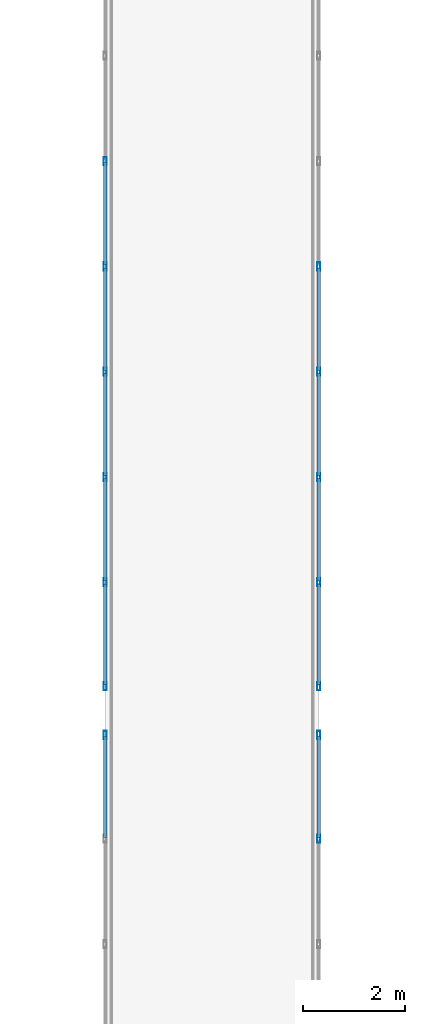
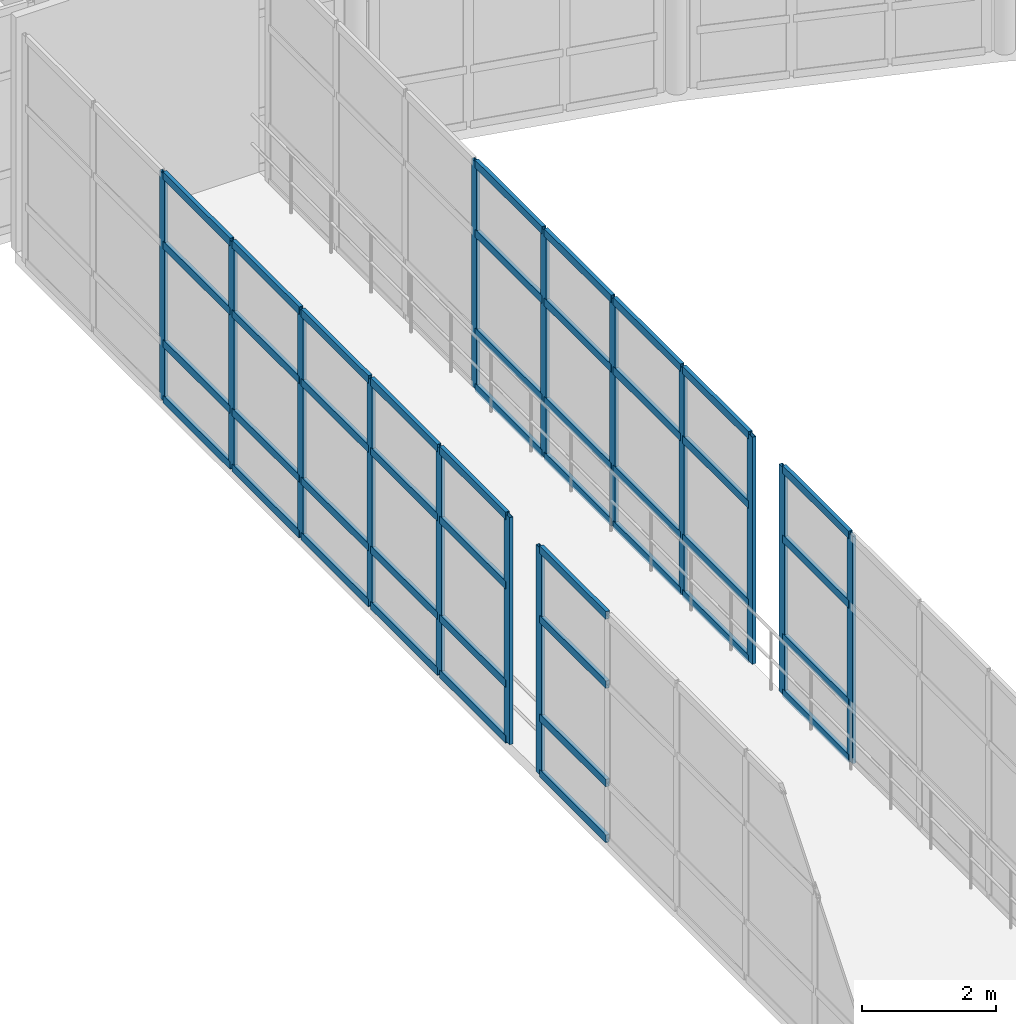
# One storey, part 65 of 105: 58 members, 4 elements without a shape of their own.
"""IFC4 building model written with IfcOpenShell, lengths in metres."""

from ifc_helpers import new_model, si_unit, direction, frame, origin, origin_2d, place, context, subcontext, project, spatial, hollow_rectangle, extrude, material, layer, layer_set, material_profile, profile_set, type_object, element, aggregate, save


model = new_model("IFC4")

# Units and contexts
model_context = context("Model", 3, precision=1e-05, world=origin(), true_north=direction((0.0, 1.0)))
body_context = subcontext(model_context, "Body", "Model", "MODEL_VIEW")
ifc_project = project(units=[si_unit("LENGTHUNIT", "METRE"), si_unit("AREAUNIT", "SQUARE_METRE"), si_unit("VOLUMEUNIT", "CUBIC_METRE"), si_unit("PLANEANGLEUNIT", "RADIAN"), si_unit("MASSUNIT", "GRAM", prefix="KILO")], contexts=[model_context])

# Site, building, storey
site_placement = place(None, origin())
site = spatial("IfcSite", under=ifc_project, at=site_placement, CompositionType="ELEMENT")
building_placement = place(site_placement, origin())
building = spatial("IfcBuilding", under=site, at=building_placement, Name="Selat Folded Stagehouse", CompositionType="ELEMENT")
storey_placement = place(building_placement, frame((0.0, 0.0, 10.199951171875)))
storey = spatial("IfcBuildingStorey", under=building, at=storey_placement, Name="L02", CompositionType="ELEMENT", Elevation=10.199951171875)

# Curtain wall, member
ifc_material = material(Name="Aluminium 6063-T6", Category="aluminium")
ifc_layer = layer(ifc_material, 0.175048828125)
ifc_layer_set = layer_set([ifc_layer], Name="Aluminium 6063-T6")
curtain_wall_type = type_object("IfcCurtainWallType", Name="CW-BRG-GLAZ", PredefinedType="NOTDEFINED", material=ifc_layer_set)
curtain_wall_1_placement = place(storey_placement, origin())
curtain_wall_1 = element("IfcCurtainWall", 1, at=curtain_wall_1_placement, inside=storey, type_object=curtain_wall_type, Name="L02 curtain wall CW-BRG-14", PredefinedType="NOTDEFINED")
ifc_material_profile_1 = material_profile(ifc_material, hollow_rectangle(XDim=0.06005859375, YDim=0.159912109375, WallThickness=0.00390625, at=origin_2d()), Name="ALU 160x60x4.0")
ifc_profile_set_1 = profile_set([ifc_material_profile_1], Name="Aluminium 6063-T6")
member_type_1 = type_object("IfcMemberType", Name="CWM-MUL-160x60", PredefinedType="MULLION", material=ifc_profile_set_1)
member_1_placement = place(storey_placement, frame((96.60009765625, 77.52001953125, 0.0), z_axis=(0.0, 0.0, 1.0), x_axis=(-1.0, 0.0, 0.0)))
member_1 = element("IfcMember", 2, at=member_1_placement, type_object=member_type_1, Name="CW-07 mullion 8", PredefinedType="MULLION", context=body_context, shape_type="SweptSolid", body=[
    extrude(hollow_rectangle(XDim=0.06005859375, YDim=0.159912109375, WallThickness=0.00390625, at=origin_2d()), origin(), (0.0, 0.0, 1.0), 4.150146484375),
])

# Curtain wall, members
curtain_wall_2_placement = place(storey_placement, origin())
curtain_wall_2 = element("IfcCurtainWall", 3, at=curtain_wall_2_placement, inside=storey, type_object=curtain_wall_type, Name="L02 curtain wall CW-BRG-15", PredefinedType="NOTDEFINED")
member_2_placement = place(storey_placement, frame((96.60009765625, 78.47998046875, 0.0), z_axis=(0.0, 0.0, 1.0), x_axis=(-1.0, 0.0, 0.0)))
member_2 = element("IfcMember", 4, at=member_2_placement, type_object=member_type_1, Name="CW-07 mullion 1", PredefinedType="MULLION", context=body_context, shape_type="SweptSolid", body=[
    extrude(hollow_rectangle(XDim=0.06005859375, YDim=0.159912109375, WallThickness=0.00390625, at=origin_2d()), origin(), (0.0, 0.0, 1.0), 4.150146484375),
])
member_3_placement = place(storey_placement, frame((96.60009765625, 80.521484375, 0.0), z_axis=(0.0, 0.0, 1.0), x_axis=(-1.0, 0.0, 0.0)))
member_3 = element("IfcMember", 5, at=member_3_placement, type_object=member_type_1, Name="CW-07 mullion 2", PredefinedType="MULLION", context=body_context, shape_type="SweptSolid", body=[
    extrude(hollow_rectangle(XDim=0.06005859375, YDim=0.159912109375, WallThickness=0.00390625, at=origin_2d()), origin(), (0.0, 0.0, 1.0), 4.150146484375),
])
member_4_placement = place(storey_placement, frame((96.60009765625, 82.5927734375, 0.0), z_axis=(0.0, 0.0, 1.0), x_axis=(-1.0, 0.0, 0.0)))
member_4 = element("IfcMember", 6, at=member_4_placement, type_object=member_type_1, Name="CW-07 mullion 3", PredefinedType="MULLION", context=body_context, shape_type="SweptSolid", body=[
    extrude(hollow_rectangle(XDim=0.06005859375, YDim=0.159912109375, WallThickness=0.00390625, at=origin_2d()), origin(), (0.0, 0.0, 1.0), 4.150146484375),
])
member_5_placement = place(storey_placement, frame((96.60009765625, 84.664306640625, 0.0), z_axis=(0.0, 0.0, 1.0), x_axis=(-1.0, 0.0, 0.0)))
member_5 = element("IfcMember", 7, at=member_5_placement, type_object=member_type_1, Name="CW-07 mullion 4", PredefinedType="MULLION", context=body_context, shape_type="SweptSolid", body=[
    extrude(hollow_rectangle(XDim=0.06005859375, YDim=0.159912109375, WallThickness=0.00390625, at=origin_2d()), origin(), (0.0, 0.0, 1.0), 4.150146484375),
])
member_6_placement = place(storey_placement, frame((96.60009765625, 86.735595703125, 0.0), z_axis=(0.0, 0.0, 1.0), x_axis=(-1.0, 0.0, 0.0)))
member_6 = element("IfcMember", 8, at=member_6_placement, type_object=member_type_1, Name="CW-07 mullion 5", PredefinedType="MULLION", context=body_context, shape_type="SweptSolid", body=[
    extrude(hollow_rectangle(XDim=0.06005859375, YDim=0.159912109375, WallThickness=0.00390625, at=origin_2d()), origin(), (0.0, 0.0, 1.0), 4.150146484375),
])
member_7_placement = place(storey_placement, frame((96.60009765625, 88.80712890625, 0.0), z_axis=(0.0, 0.0, 1.0), x_axis=(-1.0, 0.0, 0.0)))
member_7 = element("IfcMember", 9, at=member_7_placement, type_object=member_type_1, Name="CW-07 mullion 6", PredefinedType="MULLION", context=body_context, shape_type="SweptSolid", body=[
    extrude(hollow_rectangle(XDim=0.06005859375, YDim=0.159912109375, WallThickness=0.00390625, at=origin_2d()), origin(), (0.0, 0.0, 1.0), 4.150146484375),
])

curtain_wall_3_placement = place(storey_placement, origin())
curtain_wall_3 = element("IfcCurtainWall", 10, at=curtain_wall_3_placement, inside=storey, type_object=curtain_wall_type, Name="L02 curtain wall CW-BRG-19", PredefinedType="NOTDEFINED")
member_8_placement = place(storey_placement, frame((100.800048828125, 77.52001953125, 0.0), z_axis=(0.0, 0.0, 1.0), x_axis=(1.0, 0.0, 0.0)))
member_8 = element("IfcMember", 11, at=member_8_placement, type_object=member_type_1, Name="CW-07 mullion 1", PredefinedType="MULLION", context=body_context, shape_type="SweptSolid", body=[
    extrude(hollow_rectangle(XDim=0.06005859375, YDim=0.159912109375, WallThickness=0.00390625, at=origin_2d()), origin(), (0.0, 0.0, 1.0), 4.150146484375),
])
member_9_placement = place(storey_placement, frame((100.800048828125, 75.478515625, 0.0), z_axis=(0.0, 0.0, 1.0), x_axis=(1.0, 0.0, 0.0)))
member_9 = element("IfcMember", 12, at=member_9_placement, type_object=member_type_1, Name="CW-07 mullion 2", PredefinedType="MULLION", context=body_context, shape_type="SweptSolid", body=[
    extrude(hollow_rectangle(XDim=0.06005859375, YDim=0.159912109375, WallThickness=0.00390625, at=origin_2d()), origin(), (0.0, 0.0, 1.0), 4.150146484375),
])

curtain_wall_4_placement = place(storey_placement, origin())
curtain_wall_4 = element("IfcCurtainWall", 13, at=curtain_wall_4_placement, inside=storey, type_object=curtain_wall_type, Name="L02 curtain wall CW-BRG-20", PredefinedType="NOTDEFINED")
member_10_placement = place(storey_placement, frame((100.800048828125, 86.735595703125, 0.0), z_axis=(0.0, 0.0, 1.0), x_axis=(1.0, 0.0, 0.0)))
member_10 = element("IfcMember", 14, at=member_10_placement, type_object=member_type_1, Name="CW-07 mullion 4", PredefinedType="MULLION", context=body_context, shape_type="SweptSolid", body=[
    extrude(hollow_rectangle(XDim=0.06005859375, YDim=0.159912109375, WallThickness=0.00390625, at=origin_2d()), origin(), (0.0, 0.0, 1.0), 4.150146484375),
])
member_11_placement = place(storey_placement, frame((100.800048828125, 84.664306640625, 0.0), z_axis=(0.0, 0.0, 1.0), x_axis=(1.0, 0.0, 0.0)))
member_11 = element("IfcMember", 15, at=member_11_placement, type_object=member_type_1, Name="CW-07 mullion 5", PredefinedType="MULLION", context=body_context, shape_type="SweptSolid", body=[
    extrude(hollow_rectangle(XDim=0.06005859375, YDim=0.159912109375, WallThickness=0.00390625, at=origin_2d()), origin(), (0.0, 0.0, 1.0), 4.150146484375),
])
member_12_placement = place(storey_placement, frame((100.800048828125, 82.5927734375, 0.0), z_axis=(0.0, 0.0, 1.0), x_axis=(1.0, 0.0, 0.0)))
member_12 = element("IfcMember", 16, at=member_12_placement, type_object=member_type_1, Name="CW-07 mullion 6", PredefinedType="MULLION", context=body_context, shape_type="SweptSolid", body=[
    extrude(hollow_rectangle(XDim=0.06005859375, YDim=0.159912109375, WallThickness=0.00390625, at=origin_2d()), origin(), (0.0, 0.0, 1.0), 4.150146484375),
])
member_13_placement = place(storey_placement, frame((100.800048828125, 80.521484375, 0.0), z_axis=(0.0, 0.0, 1.0), x_axis=(1.0, 0.0, 0.0)))
member_13 = element("IfcMember", 17, at=member_13_placement, type_object=member_type_1, Name="CW-07 mullion 7", PredefinedType="MULLION", context=body_context, shape_type="SweptSolid", body=[
    extrude(hollow_rectangle(XDim=0.06005859375, YDim=0.159912109375, WallThickness=0.00390625, at=origin_2d()), origin(), (0.0, 0.0, 1.0), 4.150146484375),
])
member_14_placement = place(storey_placement, frame((100.800048828125, 78.47998046875, 0.0), z_axis=(0.0, 0.0, 1.0), x_axis=(1.0, 0.0, 0.0)))
member_14 = element("IfcMember", 18, at=member_14_placement, type_object=member_type_1, Name="CW-07 mullion 8", PredefinedType="MULLION", context=body_context, shape_type="SweptSolid", body=[
    extrude(hollow_rectangle(XDim=0.06005859375, YDim=0.159912109375, WallThickness=0.00390625, at=origin_2d()), origin(), (0.0, 0.0, 1.0), 4.150146484375),
])

# Member
ifc_material_profile_2 = material_profile(ifc_material, hollow_rectangle(XDim=0.06494140625, YDim=0.139892578125, WallThickness=0.00390625, at=origin_2d()), Name="ALU 140x65x4.0")
ifc_profile_set_2 = profile_set([ifc_material_profile_2], Name="Aluminium 6063-T6")
member_type_2 = type_object("IfcMemberType", Name="CWM-TRN-140x65", PredefinedType="USERDEFINED", material=ifc_profile_set_2)
member_15_placement = place(storey_placement, frame((96.60009765625, 75.508544921875, 0.032470703125), z_axis=(0.0, 1.0, 0.0), x_axis=(-1.0, 0.0, 0.0)))
member_15 = element("IfcMember", 19, at=member_15_placement, type_object=member_type_2, Name="CW-07 transom 7.1", ObjectType="TRANSOM", PredefinedType="USERDEFINED", context=body_context, shape_type="SweptSolid", body=[
    extrude(hollow_rectangle(XDim=0.06494140625, YDim=0.139892578125, WallThickness=0.00390625, at=origin_2d()), origin(), (0.0, 0.0, 1.0), 1.9814453125),
])

member_16_placement = place(storey_placement, frame((96.60009765625, 75.508544921875, 1.050048828125), z_axis=(0.0, 1.0, 0.0), x_axis=(-1.0, 0.0, 0.0)))
member_16 = element("IfcMember", 20, at=member_16_placement, type_object=member_type_2, Name="CW-07 transom 7.2", ObjectType="TRANSOM", PredefinedType="USERDEFINED", context=body_context, shape_type="SweptSolid", body=[
    extrude(hollow_rectangle(XDim=0.06494140625, YDim=0.139892578125, WallThickness=0.00390625, at=origin_2d()), origin(), (0.0, 0.0, 1.0), 1.9814453125),
])

member_17_placement = place(storey_placement, frame((96.60009765625, 75.508544921875, 2.85009765625), z_axis=(0.0, 1.0, 0.0), x_axis=(-1.0, 0.0, 0.0)))
member_17 = element("IfcMember", 21, at=member_17_placement, type_object=member_type_2, Name="CW-07 transom 7.3", ObjectType="TRANSOM", PredefinedType="USERDEFINED", context=body_context, shape_type="SweptSolid", body=[
    extrude(hollow_rectangle(XDim=0.06494140625, YDim=0.139892578125, WallThickness=0.00390625, at=origin_2d()), origin(), (0.0, 0.0, 1.0), 1.9814453125),
])

member_18_placement = place(storey_placement, frame((96.60009765625, 75.508544921875, 4.117431640625), z_axis=(0.0, 1.0, 0.0), x_axis=(-1.0, 0.0, 0.0)))
member_18 = element("IfcMember", 22, at=member_18_placement, type_object=member_type_2, Name="CW-07 transom 7.4", ObjectType="TRANSOM", PredefinedType="USERDEFINED", context=body_context, shape_type="SweptSolid", body=[
    extrude(hollow_rectangle(XDim=0.06494140625, YDim=0.139892578125, WallThickness=0.00390625, at=origin_2d()), origin(), (0.0, 0.0, 1.0), 1.9814453125),
])

aggregate(curtain_wall_1, [member_1, member_15, member_16, member_17, member_18])

member_19_placement = place(storey_placement, frame((96.60009765625, 78.510009765625, 0.032470703125), z_axis=(0.0, 1.0, 0.0), x_axis=(-1.0, 0.0, 0.0)))
member_19 = element("IfcMember", 23, at=member_19_placement, type_object=member_type_2, Name="CW-07 transom 1.1", ObjectType="TRANSOM", PredefinedType="USERDEFINED", context=body_context, shape_type="SweptSolid", body=[
    extrude(hollow_rectangle(XDim=0.06494140625, YDim=0.139892578125, WallThickness=0.00390625, at=origin_2d()), origin(), (0.0, 0.0, 1.0), 1.9814453125),
])

member_20_placement = place(storey_placement, frame((96.60009765625, 78.510009765625, 1.050048828125), z_axis=(0.0, 1.0, 0.0), x_axis=(-1.0, 0.0, 0.0)))
member_20 = element("IfcMember", 24, at=member_20_placement, type_object=member_type_2, Name="CW-07 transom 1.2", ObjectType="TRANSOM", PredefinedType="USERDEFINED", context=body_context, shape_type="SweptSolid", body=[
    extrude(hollow_rectangle(XDim=0.06494140625, YDim=0.139892578125, WallThickness=0.00390625, at=origin_2d()), origin(), (0.0, 0.0, 1.0), 1.9814453125),
])

member_21_placement = place(storey_placement, frame((96.60009765625, 78.510009765625, 2.85009765625), z_axis=(0.0, 1.0, 0.0), x_axis=(-1.0, 0.0, 0.0)))
member_21 = element("IfcMember", 25, at=member_21_placement, type_object=member_type_2, Name="CW-07 transom 1.3", ObjectType="TRANSOM", PredefinedType="USERDEFINED", context=body_context, shape_type="SweptSolid", body=[
    extrude(hollow_rectangle(XDim=0.06494140625, YDim=0.139892578125, WallThickness=0.00390625, at=origin_2d()), origin(), (0.0, 0.0, 1.0), 1.9814453125),
])

member_22_placement = place(storey_placement, frame((96.60009765625, 78.510009765625, 4.117431640625), z_axis=(0.0, 1.0, 0.0), x_axis=(-1.0, 0.0, 0.0)))
member_22 = element("IfcMember", 26, at=member_22_placement, type_object=member_type_2, Name="CW-07 transom 1.4", ObjectType="TRANSOM", PredefinedType="USERDEFINED", context=body_context, shape_type="SweptSolid", body=[
    extrude(hollow_rectangle(XDim=0.06494140625, YDim=0.139892578125, WallThickness=0.00390625, at=origin_2d()), origin(), (0.0, 0.0, 1.0), 1.9814453125),
])

member_23_placement = place(storey_placement, frame((96.60009765625, 80.551513671875, 0.032470703125), z_axis=(0.0, 1.0, 0.0), x_axis=(-1.0, 0.0, 0.0)))
member_23 = element("IfcMember", 27, at=member_23_placement, type_object=member_type_2, Name="CW-07 transom 2.1", ObjectType="TRANSOM", PredefinedType="USERDEFINED", context=body_context, shape_type="SweptSolid", body=[
    extrude(hollow_rectangle(XDim=0.06494140625, YDim=0.139892578125, WallThickness=0.00390625, at=origin_2d()), origin(), (0.0, 0.0, 1.0), 2.01123046875),
])

member_24_placement = place(storey_placement, frame((96.60009765625, 80.551513671875, 1.050048828125), z_axis=(0.0, 1.0, 0.0), x_axis=(-1.0, 0.0, 0.0)))
member_24 = element("IfcMember", 28, at=member_24_placement, type_object=member_type_2, Name="CW-07 transom 2.2", ObjectType="TRANSOM", PredefinedType="USERDEFINED", context=body_context, shape_type="SweptSolid", body=[
    extrude(hollow_rectangle(XDim=0.06494140625, YDim=0.139892578125, WallThickness=0.00390625, at=origin_2d()), origin(), (0.0, 0.0, 1.0), 2.01123046875),
])

member_25_placement = place(storey_placement, frame((96.60009765625, 80.551513671875, 2.85009765625), z_axis=(0.0, 1.0, 0.0), x_axis=(-1.0, 0.0, 0.0)))
member_25 = element("IfcMember", 29, at=member_25_placement, type_object=member_type_2, Name="CW-07 transom 2.3", ObjectType="TRANSOM", PredefinedType="USERDEFINED", context=body_context, shape_type="SweptSolid", body=[
    extrude(hollow_rectangle(XDim=0.06494140625, YDim=0.139892578125, WallThickness=0.00390625, at=origin_2d()), origin(), (0.0, 0.0, 1.0), 2.01123046875),
])

member_26_placement = place(storey_placement, frame((96.60009765625, 80.551513671875, 4.117431640625), z_axis=(0.0, 1.0, 0.0), x_axis=(-1.0, 0.0, 0.0)))
member_26 = element("IfcMember", 30, at=member_26_placement, type_object=member_type_2, Name="CW-07 transom 2.4", ObjectType="TRANSOM", PredefinedType="USERDEFINED", context=body_context, shape_type="SweptSolid", body=[
    extrude(hollow_rectangle(XDim=0.06494140625, YDim=0.139892578125, WallThickness=0.00390625, at=origin_2d()), origin(), (0.0, 0.0, 1.0), 2.01123046875),
])

member_27_placement = place(storey_placement, frame((96.60009765625, 82.622802734375, 0.032470703125), z_axis=(0.0, 1.0, 0.0), x_axis=(-1.0, 0.0, 0.0)))
member_27 = element("IfcMember", 31, at=member_27_placement, type_object=member_type_2, Name="CW-07 transom 3.1", ObjectType="TRANSOM", PredefinedType="USERDEFINED", context=body_context, shape_type="SweptSolid", body=[
    extrude(hollow_rectangle(XDim=0.06494140625, YDim=0.139892578125, WallThickness=0.00390625, at=origin_2d()), origin(), (0.0, 0.0, 1.0), 2.011474609375),
])

member_28_placement = place(storey_placement, frame((96.60009765625, 82.622802734375, 1.050048828125), z_axis=(0.0, 1.0, 0.0), x_axis=(-1.0, 0.0, 0.0)))
member_28 = element("IfcMember", 32, at=member_28_placement, type_object=member_type_2, Name="CW-07 transom 3.2", ObjectType="TRANSOM", PredefinedType="USERDEFINED", context=body_context, shape_type="SweptSolid", body=[
    extrude(hollow_rectangle(XDim=0.06494140625, YDim=0.139892578125, WallThickness=0.00390625, at=origin_2d()), origin(), (0.0, 0.0, 1.0), 2.011474609375),
])

member_29_placement = place(storey_placement, frame((96.60009765625, 82.622802734375, 2.85009765625), z_axis=(0.0, 1.0, 0.0), x_axis=(-1.0, 0.0, 0.0)))
member_29 = element("IfcMember", 33, at=member_29_placement, type_object=member_type_2, Name="CW-07 transom 3.3", ObjectType="TRANSOM", PredefinedType="USERDEFINED", context=body_context, shape_type="SweptSolid", body=[
    extrude(hollow_rectangle(XDim=0.06494140625, YDim=0.139892578125, WallThickness=0.00390625, at=origin_2d()), origin(), (0.0, 0.0, 1.0), 2.011474609375),
])

member_30_placement = place(storey_placement, frame((96.60009765625, 82.622802734375, 4.117431640625), z_axis=(0.0, 1.0, 0.0), x_axis=(-1.0, 0.0, 0.0)))
member_30 = element("IfcMember", 34, at=member_30_placement, type_object=member_type_2, Name="CW-07 transom 3.4", ObjectType="TRANSOM", PredefinedType="USERDEFINED", context=body_context, shape_type="SweptSolid", body=[
    extrude(hollow_rectangle(XDim=0.06494140625, YDim=0.139892578125, WallThickness=0.00390625, at=origin_2d()), origin(), (0.0, 0.0, 1.0), 2.011474609375),
])

member_31_placement = place(storey_placement, frame((96.60009765625, 84.6943359375, 0.032470703125), z_axis=(0.0, 1.0, 0.0), x_axis=(-1.0, 0.0, 0.0)))
member_31 = element("IfcMember", 35, at=member_31_placement, type_object=member_type_2, Name="CW-07 transom 4.1", ObjectType="TRANSOM", PredefinedType="USERDEFINED", context=body_context, shape_type="SweptSolid", body=[
    extrude(hollow_rectangle(XDim=0.06494140625, YDim=0.139892578125, WallThickness=0.00390625, at=origin_2d()), origin(), (0.0, 0.0, 1.0), 2.011474609375),
])

member_32_placement = place(storey_placement, frame((96.60009765625, 84.6943359375, 1.050048828125), z_axis=(0.0, 1.0, 0.0), x_axis=(-1.0, 0.0, 0.0)))
member_32 = element("IfcMember", 36, at=member_32_placement, type_object=member_type_2, Name="CW-07 transom 4.2", ObjectType="TRANSOM", PredefinedType="USERDEFINED", context=body_context, shape_type="SweptSolid", body=[
    extrude(hollow_rectangle(XDim=0.06494140625, YDim=0.139892578125, WallThickness=0.00390625, at=origin_2d()), origin(), (0.0, 0.0, 1.0), 2.011474609375),
])

member_33_placement = place(storey_placement, frame((96.60009765625, 84.6943359375, 2.85009765625), z_axis=(0.0, 1.0, 0.0), x_axis=(-1.0, 0.0, 0.0)))
member_33 = element("IfcMember", 37, at=member_33_placement, type_object=member_type_2, Name="CW-07 transom 4.3", ObjectType="TRANSOM", PredefinedType="USERDEFINED", context=body_context, shape_type="SweptSolid", body=[
    extrude(hollow_rectangle(XDim=0.06494140625, YDim=0.139892578125, WallThickness=0.00390625, at=origin_2d()), origin(), (0.0, 0.0, 1.0), 2.011474609375),
])

member_34_placement = place(storey_placement, frame((96.60009765625, 84.6943359375, 4.117431640625), z_axis=(0.0, 1.0, 0.0), x_axis=(-1.0, 0.0, 0.0)))
member_34 = element("IfcMember", 38, at=member_34_placement, type_object=member_type_2, Name="CW-07 transom 4.4", ObjectType="TRANSOM", PredefinedType="USERDEFINED", context=body_context, shape_type="SweptSolid", body=[
    extrude(hollow_rectangle(XDim=0.06494140625, YDim=0.139892578125, WallThickness=0.00390625, at=origin_2d()), origin(), (0.0, 0.0, 1.0), 2.011474609375),
])

member_35_placement = place(storey_placement, frame((96.60009765625, 86.765625, 0.032470703125), z_axis=(0.0, 1.0, 0.0), x_axis=(-1.0, 0.0, 0.0)))
member_35 = element("IfcMember", 39, at=member_35_placement, type_object=member_type_2, Name="CW-07 transom 5.1", ObjectType="TRANSOM", PredefinedType="USERDEFINED", context=body_context, shape_type="SweptSolid", body=[
    extrude(hollow_rectangle(XDim=0.06494140625, YDim=0.139892578125, WallThickness=0.00390625, at=origin_2d()), origin(), (0.0, 0.0, 1.0), 2.011474609375),
])

member_36_placement = place(storey_placement, frame((96.60009765625, 86.765625, 1.050048828125), z_axis=(0.0, 1.0, 0.0), x_axis=(-1.0, 0.0, 0.0)))
member_36 = element("IfcMember", 40, at=member_36_placement, type_object=member_type_2, Name="CW-07 transom 5.2", ObjectType="TRANSOM", PredefinedType="USERDEFINED", context=body_context, shape_type="SweptSolid", body=[
    extrude(hollow_rectangle(XDim=0.06494140625, YDim=0.139892578125, WallThickness=0.00390625, at=origin_2d()), origin(), (0.0, 0.0, 1.0), 2.011474609375),
])

member_37_placement = place(storey_placement, frame((96.60009765625, 86.765625, 2.85009765625), z_axis=(0.0, 1.0, 0.0), x_axis=(-1.0, 0.0, 0.0)))
member_37 = element("IfcMember", 41, at=member_37_placement, type_object=member_type_2, Name="CW-07 transom 5.3", ObjectType="TRANSOM", PredefinedType="USERDEFINED", context=body_context, shape_type="SweptSolid", body=[
    extrude(hollow_rectangle(XDim=0.06494140625, YDim=0.139892578125, WallThickness=0.00390625, at=origin_2d()), origin(), (0.0, 0.0, 1.0), 2.011474609375),
])

member_38_placement = place(storey_placement, frame((96.60009765625, 86.765625, 4.117431640625), z_axis=(0.0, 1.0, 0.0), x_axis=(-1.0, 0.0, 0.0)))
member_38 = element("IfcMember", 42, at=member_38_placement, type_object=member_type_2, Name="CW-07 transom 5.4", ObjectType="TRANSOM", PredefinedType="USERDEFINED", context=body_context, shape_type="SweptSolid", body=[
    extrude(hollow_rectangle(XDim=0.06494140625, YDim=0.139892578125, WallThickness=0.00390625, at=origin_2d()), origin(), (0.0, 0.0, 1.0), 2.011474609375),
])

aggregate(curtain_wall_2, [member_2, member_3, member_4, member_5, member_6, member_7, member_19, member_20, member_21, member_22, member_23, member_24, member_25, member_26, member_27, member_28, member_29, member_30, member_31, member_32, member_33, member_34, member_35, member_36, member_37, member_38])

member_39_placement = place(storey_placement, frame((100.800048828125, 77.489990234375, 0.032470703125), z_axis=(0.0, -1.0, 0.0), x_axis=(1.0, 0.0, 0.0)))
member_39 = element("IfcMember", 43, at=member_39_placement, type_object=member_type_2, Name="CW-07 transom 1.1", ObjectType="TRANSOM", PredefinedType="USERDEFINED", context=body_context, shape_type="SweptSolid", body=[
    extrude(hollow_rectangle(XDim=0.06494140625, YDim=0.139892578125, WallThickness=0.00390625, at=origin_2d()), origin(), (0.0, 0.0, 1.0), 1.9814453125),
])

member_40_placement = place(storey_placement, frame((100.800048828125, 77.489990234375, 1.050048828125), z_axis=(0.0, -1.0, 0.0), x_axis=(1.0, 0.0, 0.0)))
member_40 = element("IfcMember", 44, at=member_40_placement, type_object=member_type_2, Name="CW-07 transom 1.2", ObjectType="TRANSOM", PredefinedType="USERDEFINED", context=body_context, shape_type="SweptSolid", body=[
    extrude(hollow_rectangle(XDim=0.06494140625, YDim=0.139892578125, WallThickness=0.00390625, at=origin_2d()), origin(), (0.0, 0.0, 1.0), 1.9814453125),
])

member_41_placement = place(storey_placement, frame((100.800048828125, 77.489990234375, 2.85009765625), z_axis=(0.0, -1.0, 0.0), x_axis=(1.0, 0.0, 0.0)))
member_41 = element("IfcMember", 45, at=member_41_placement, type_object=member_type_2, Name="CW-07 transom 1.3", ObjectType="TRANSOM", PredefinedType="USERDEFINED", context=body_context, shape_type="SweptSolid", body=[
    extrude(hollow_rectangle(XDim=0.06494140625, YDim=0.139892578125, WallThickness=0.00390625, at=origin_2d()), origin(), (0.0, 0.0, 1.0), 1.9814453125),
])

member_42_placement = place(storey_placement, frame((100.800048828125, 77.489990234375, 4.117431640625), z_axis=(0.0, -1.0, 0.0), x_axis=(1.0, 0.0, 0.0)))
member_42 = element("IfcMember", 46, at=member_42_placement, type_object=member_type_2, Name="CW-07 transom 1.4", ObjectType="TRANSOM", PredefinedType="USERDEFINED", context=body_context, shape_type="SweptSolid", body=[
    extrude(hollow_rectangle(XDim=0.06494140625, YDim=0.139892578125, WallThickness=0.00390625, at=origin_2d()), origin(), (0.0, 0.0, 1.0), 1.9814453125),
])

aggregate(curtain_wall_3, [member_8, member_9, member_39, member_40, member_41, member_42])

member_43_placement = place(storey_placement, frame((100.800048828125, 86.705810546875, 0.032470703125), z_axis=(0.0, -1.0, 0.0), x_axis=(1.0, 0.0, 0.0)))
member_43 = element("IfcMember", 47, at=member_43_placement, type_object=member_type_2, Name="CW-07 transom 4.1", ObjectType="TRANSOM", PredefinedType="USERDEFINED", context=body_context, shape_type="SweptSolid", body=[
    extrude(hollow_rectangle(XDim=0.06494140625, YDim=0.139892578125, WallThickness=0.00390625, at=origin_2d()), origin(), (0.0, 0.0, 1.0), 2.011474609375),
])

member_44_placement = place(storey_placement, frame((100.800048828125, 86.705810546875, 1.050048828125), z_axis=(0.0, -1.0, 0.0), x_axis=(1.0, 0.0, 0.0)))
member_44 = element("IfcMember", 48, at=member_44_placement, type_object=member_type_2, Name="CW-07 transom 4.2", ObjectType="TRANSOM", PredefinedType="USERDEFINED", context=body_context, shape_type="SweptSolid", body=[
    extrude(hollow_rectangle(XDim=0.06494140625, YDim=0.139892578125, WallThickness=0.00390625, at=origin_2d()), origin(), (0.0, 0.0, 1.0), 2.011474609375),
])

member_45_placement = place(storey_placement, frame((100.800048828125, 86.705810546875, 2.85009765625), z_axis=(0.0, -1.0, 0.0), x_axis=(1.0, 0.0, 0.0)))
member_45 = element("IfcMember", 49, at=member_45_placement, type_object=member_type_2, Name="CW-07 transom 4.3", ObjectType="TRANSOM", PredefinedType="USERDEFINED", context=body_context, shape_type="SweptSolid", body=[
    extrude(hollow_rectangle(XDim=0.06494140625, YDim=0.139892578125, WallThickness=0.00390625, at=origin_2d()), origin(), (0.0, 0.0, 1.0), 2.011474609375),
])

member_46_placement = place(storey_placement, frame((100.800048828125, 86.705810546875, 4.117431640625), z_axis=(0.0, -1.0, 0.0), x_axis=(1.0, 0.0, 0.0)))
member_46 = element("IfcMember", 50, at=member_46_placement, type_object=member_type_2, Name="CW-07 transom 4.4", ObjectType="TRANSOM", PredefinedType="USERDEFINED", context=body_context, shape_type="SweptSolid", body=[
    extrude(hollow_rectangle(XDim=0.06494140625, YDim=0.139892578125, WallThickness=0.00390625, at=origin_2d()), origin(), (0.0, 0.0, 1.0), 2.011474609375),
])

member_47_placement = place(storey_placement, frame((100.800048828125, 84.63427734375, 0.032470703125), z_axis=(0.0, -1.0, 0.0), x_axis=(1.0, 0.0, 0.0)))
member_47 = element("IfcMember", 51, at=member_47_placement, type_object=member_type_2, Name="CW-07 transom 5.1", ObjectType="TRANSOM", PredefinedType="USERDEFINED", context=body_context, shape_type="SweptSolid", body=[
    extrude(hollow_rectangle(XDim=0.06494140625, YDim=0.139892578125, WallThickness=0.00390625, at=origin_2d()), origin(), (0.0, 0.0, 1.0), 2.011474609375),
])

member_48_placement = place(storey_placement, frame((100.800048828125, 84.63427734375, 1.050048828125), z_axis=(0.0, -1.0, 0.0), x_axis=(1.0, 0.0, 0.0)))
member_48 = element("IfcMember", 52, at=member_48_placement, type_object=member_type_2, Name="CW-07 transom 5.2", ObjectType="TRANSOM", PredefinedType="USERDEFINED", context=body_context, shape_type="SweptSolid", body=[
    extrude(hollow_rectangle(XDim=0.06494140625, YDim=0.139892578125, WallThickness=0.00390625, at=origin_2d()), origin(), (0.0, 0.0, 1.0), 2.011474609375),
])

member_49_placement = place(storey_placement, frame((100.800048828125, 84.63427734375, 2.85009765625), z_axis=(0.0, -1.0, 0.0), x_axis=(1.0, 0.0, 0.0)))
member_49 = element("IfcMember", 53, at=member_49_placement, type_object=member_type_2, Name="CW-07 transom 5.3", ObjectType="TRANSOM", PredefinedType="USERDEFINED", context=body_context, shape_type="SweptSolid", body=[
    extrude(hollow_rectangle(XDim=0.06494140625, YDim=0.139892578125, WallThickness=0.00390625, at=origin_2d()), origin(), (0.0, 0.0, 1.0), 2.011474609375),
])

member_50_placement = place(storey_placement, frame((100.800048828125, 84.63427734375, 4.117431640625), z_axis=(0.0, -1.0, 0.0), x_axis=(1.0, 0.0, 0.0)))
member_50 = element("IfcMember", 54, at=member_50_placement, type_object=member_type_2, Name="CW-07 transom 5.4", ObjectType="TRANSOM", PredefinedType="USERDEFINED", context=body_context, shape_type="SweptSolid", body=[
    extrude(hollow_rectangle(XDim=0.06494140625, YDim=0.139892578125, WallThickness=0.00390625, at=origin_2d()), origin(), (0.0, 0.0, 1.0), 2.011474609375),
])

member_51_placement = place(storey_placement, frame((100.800048828125, 82.562744140625, 0.032470703125), z_axis=(0.0, -1.0, 0.0), x_axis=(1.0, 0.0, 0.0)))
member_51 = element("IfcMember", 55, at=member_51_placement, type_object=member_type_2, Name="CW-07 transom 6.1", ObjectType="TRANSOM", PredefinedType="USERDEFINED", context=body_context, shape_type="SweptSolid", body=[
    extrude(hollow_rectangle(XDim=0.06494140625, YDim=0.139892578125, WallThickness=0.00390625, at=origin_2d()), origin(), (0.0, 0.0, 1.0), 2.01123046875),
])

member_52_placement = place(storey_placement, frame((100.800048828125, 82.562744140625, 1.050048828125), z_axis=(0.0, -1.0, 0.0), x_axis=(1.0, 0.0, 0.0)))
member_52 = element("IfcMember", 56, at=member_52_placement, type_object=member_type_2, Name="CW-07 transom 6.2", ObjectType="TRANSOM", PredefinedType="USERDEFINED", context=body_context, shape_type="SweptSolid", body=[
    extrude(hollow_rectangle(XDim=0.06494140625, YDim=0.139892578125, WallThickness=0.00390625, at=origin_2d()), origin(), (0.0, 0.0, 1.0), 2.01123046875),
])

member_53_placement = place(storey_placement, frame((100.800048828125, 82.562744140625, 2.85009765625), z_axis=(0.0, -1.0, 0.0), x_axis=(1.0, 0.0, 0.0)))
member_53 = element("IfcMember", 57, at=member_53_placement, type_object=member_type_2, Name="CW-07 transom 6.3", ObjectType="TRANSOM", PredefinedType="USERDEFINED", context=body_context, shape_type="SweptSolid", body=[
    extrude(hollow_rectangle(XDim=0.06494140625, YDim=0.139892578125, WallThickness=0.00390625, at=origin_2d()), origin(), (0.0, 0.0, 1.0), 2.01123046875),
])

member_54_placement = place(storey_placement, frame((100.800048828125, 82.562744140625, 4.117431640625), z_axis=(0.0, -1.0, 0.0), x_axis=(1.0, 0.0, 0.0)))
member_54 = element("IfcMember", 58, at=member_54_placement, type_object=member_type_2, Name="CW-07 transom 6.4", ObjectType="TRANSOM", PredefinedType="USERDEFINED", context=body_context, shape_type="SweptSolid", body=[
    extrude(hollow_rectangle(XDim=0.06494140625, YDim=0.139892578125, WallThickness=0.00390625, at=origin_2d()), origin(), (0.0, 0.0, 1.0), 2.01123046875),
])

member_55_placement = place(storey_placement, frame((100.800048828125, 80.491455078125, 0.032470703125), z_axis=(0.0, -1.0, 0.0), x_axis=(1.0, 0.0, 0.0)))
member_55 = element("IfcMember", 59, at=member_55_placement, type_object=member_type_2, Name="CW-07 transom 7.1", ObjectType="TRANSOM", PredefinedType="USERDEFINED", context=body_context, shape_type="SweptSolid", body=[
    extrude(hollow_rectangle(XDim=0.06494140625, YDim=0.139892578125, WallThickness=0.00390625, at=origin_2d()), origin(), (0.0, 0.0, 1.0), 1.9814453125),
])

member_56_placement = place(storey_placement, frame((100.800048828125, 80.491455078125, 1.050048828125), z_axis=(0.0, -1.0, 0.0), x_axis=(1.0, 0.0, 0.0)))
member_56 = element("IfcMember", 60, at=member_56_placement, type_object=member_type_2, Name="CW-07 transom 7.2", ObjectType="TRANSOM", PredefinedType="USERDEFINED", context=body_context, shape_type="SweptSolid", body=[
    extrude(hollow_rectangle(XDim=0.06494140625, YDim=0.139892578125, WallThickness=0.00390625, at=origin_2d()), origin(), (0.0, 0.0, 1.0), 1.9814453125),
])

member_57_placement = place(storey_placement, frame((100.800048828125, 80.491455078125, 2.85009765625), z_axis=(0.0, -1.0, 0.0), x_axis=(1.0, 0.0, 0.0)))
member_57 = element("IfcMember", 61, at=member_57_placement, type_object=member_type_2, Name="CW-07 transom 7.3", ObjectType="TRANSOM", PredefinedType="USERDEFINED", context=body_context, shape_type="SweptSolid", body=[
    extrude(hollow_rectangle(XDim=0.06494140625, YDim=0.139892578125, WallThickness=0.00390625, at=origin_2d()), origin(), (0.0, 0.0, 1.0), 1.9814453125),
])

member_58_placement = place(storey_placement, frame((100.800048828125, 80.491455078125, 4.117431640625), z_axis=(0.0, -1.0, 0.0), x_axis=(1.0, 0.0, 0.0)))
member_58 = element("IfcMember", 62, at=member_58_placement, type_object=member_type_2, Name="CW-07 transom 7.4", ObjectType="TRANSOM", PredefinedType="USERDEFINED", context=body_context, shape_type="SweptSolid", body=[
    extrude(hollow_rectangle(XDim=0.06494140625, YDim=0.139892578125, WallThickness=0.00390625, at=origin_2d()), origin(), (0.0, 0.0, 1.0), 1.9814453125),
])

aggregate(curtain_wall_4, [member_10, member_11, member_12, member_13, member_14, member_43, member_44, member_45, member_46, member_47, member_48, member_49, member_50, member_51, member_52, member_53, member_54, member_55, member_56, member_57, member_58])

save(model, "model.ifc")
